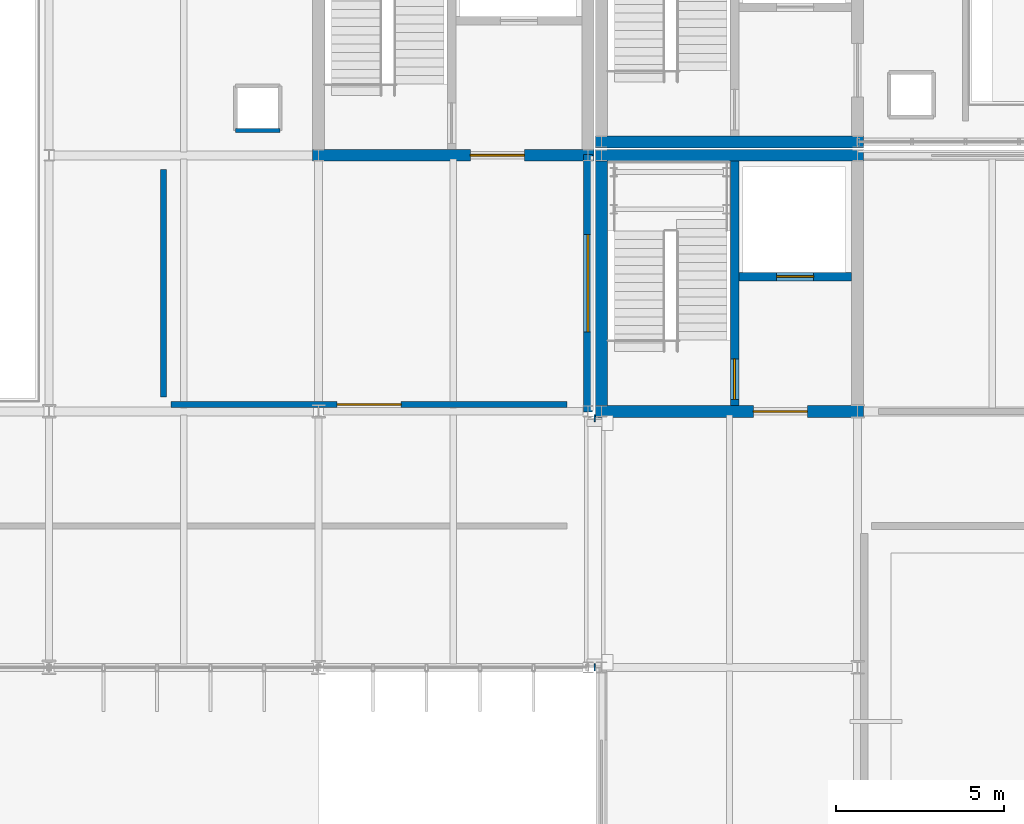
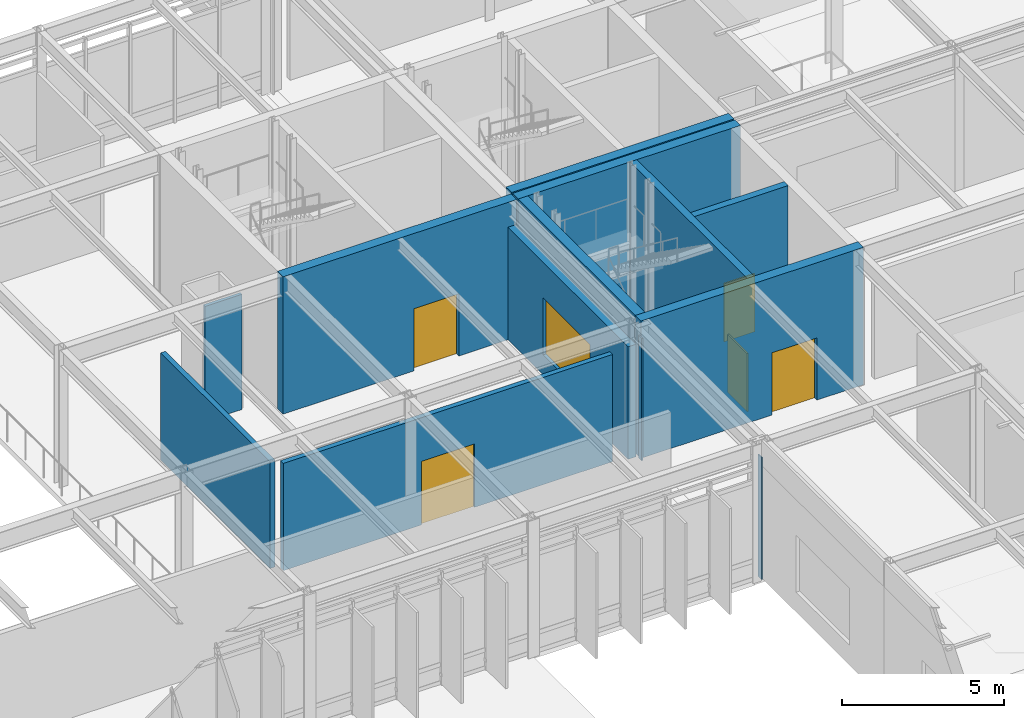
# One storey, part 73 of 94: 13 walls, 5 doors, 1 window, 6 openings.
"""IFC4 building model written with IfcOpenShell, lengths in metres."""

import ifcopenshell
import ifcopenshell.guid

model = None  # the IFC model being written
_history = None  # IfcOwnerHistory: only IFC2X3 demands one
_inside = {}  # id of a spatial element -> (the spatial element, [elements in it])
_under = {}  # id of a project, library or spatial element -> (it, [spatial elements below it])
_declared = {}  # id of a project -> (the project, [libraries it declares])
_typed = {}  # id of a type object -> (the type object, [elements of that type])
_made_of = {}  # id of a material, layer set ... -> (it, [elements and type objects made of it])


def new_model(schema):
    """Start an empty IFC model of exactly this schema.

    Asked for "IFC4X3", IfcOpenShell would pick the latest addendum, in which some entities
    have other attributes; the version numbers below select the first issue.
    IFC2X3 requires an IfcOwnerHistory on every rooted entity: one is made here for all.
    """
    global model, _history
    if schema == "IFC4X3":
        model = ifcopenshell.file(schema_version=(4, 3, 0, 0))
    else:
        model = ifcopenshell.file(schema=schema)
    _inside.clear()
    _under.clear()
    _declared.clear()
    _typed.clear()
    _made_of.clear()
    _history = None
    if model.schema == "IFC2X3":
        org = make("IfcOrganization", Name="unknown")
        user = make(
            "IfcPersonAndOrganization",
            ThePerson=make("IfcPerson", FamilyName="unknown"),
            TheOrganization=org,
        )
        app = make(
            "IfcApplication",
            ApplicationDeveloper=org,
            Version="unknown",
            ApplicationFullName="unknown",
            ApplicationIdentifier="unknown",
        )
        _history = make(
            "IfcOwnerHistory",
            OwningUser=user,
            OwningApplication=app,
            ChangeAction="ADDED",
            CreationDate=0,
        )
    return model


def make(cls, **values):
    """One entity of the class cls with the attributes given. An attribute that is None is left unset."""
    return model.create_entity(
        cls, **{name: value for name, value in values.items() if value is not None}
    )


def rooted(cls, **values):
    """An entity with a GlobalId (a new one), such as an element, a storey or a relation."""
    return make(cls, GlobalId=ifcopenshell.guid.new(), OwnerHistory=_history, **values)


def si_unit(unit_type, name, prefix=None):
    """IfcSIUnit, for example si_unit("LENGTHUNIT", "METRE", prefix="MILLI")."""
    return make("IfcSIUnit", UnitType=unit_type, Prefix=prefix, Name=name)


def assignment(units):
    """IfcUnitAssignment: the units of a project."""
    return None if units is None else make("IfcUnitAssignment", Units=units)


def point(xyz):
    """IfcCartesianPoint."""
    return None if xyz is None else make("IfcCartesianPoint", Coordinates=xyz)


def direction(xyz):
    """IfcDirection."""
    return None if xyz is None else make("IfcDirection", DirectionRatios=xyz)


def frame(location, z_axis=None, x_axis=None):
    """IfcAxis2Placement3D, a coordinate frame: its origin and axes. An axis left out is left unset."""
    return make(
        "IfcAxis2Placement3D",
        Location=point(location),
        Axis=direction(z_axis),
        RefDirection=direction(x_axis),
    )


def frame_2d(location, x_axis=None):
    """IfcAxis2Placement2D, a coordinate frame in the plane: its origin and x axis."""
    return make(
        "IfcAxis2Placement2D", Location=point(location), RefDirection=direction(x_axis)
    )


def origin():
    """The frame at (0, 0, 0) with its axes left unset."""
    return frame((0.0, 0.0, 0.0))


def place(relative_to, where):
    """IfcLocalPlacement: puts the frame where relative to a parent placement (None: the world)."""
    return make(
        "IfcLocalPlacement", PlacementRelTo=relative_to, RelativePlacement=where
    )


def context(
    kind, dimensions, precision=None, world=None, true_north=None, identifier=None
):
    """IfcGeometricRepresentationContext, for example the 3D "Model" context."""
    return make(
        "IfcGeometricRepresentationContext",
        ContextIdentifier=identifier,
        ContextType=kind,
        CoordinateSpaceDimension=dimensions,
        Precision=precision,
        WorldCoordinateSystem=world,
        TrueNorth=true_north,
    )


def subcontext(parent, identifier, kind, view, scale=None):
    """IfcGeometricRepresentationSubContext, for example "Body" below "Model"."""
    return make(
        "IfcGeometricRepresentationSubContext",
        ContextIdentifier=identifier,
        ContextType=kind,
        ParentContext=parent,
        TargetScale=scale,
        TargetView=view,
    )


def project(units=None, contexts=None):
    """IfcProject with its units and contexts."""
    return rooted(
        "IfcProject",
        Name="project",
        RepresentationContexts=contexts,
        UnitsInContext=assignment(units),
    )


def spatial(cls, under=None, at=None, **own):
    """A site, building, storey or space (cls), placed at a placement, below another one or the project."""
    s = rooted(cls, ObjectPlacement=at, **own)
    if under is not None:
        _under.setdefault(under.id(), (under, []))[1].append(s)
    return s


def profile(cls, at=None, kind="AREA", **sizes):
    """A parametric profile (cls). Its sizes go by their IFC names, for example OverallWidth=200.0."""
    return make(cls, ProfileType=kind, Position=at, **sizes)


def rectangle(**sizes):
    """IfcRectangleProfileDef."""
    return profile("IfcRectangleProfileDef", **sizes)


def extrude(swept, where, along, depth):
    """IfcExtrudedAreaSolid: the profile swept, set in the frame where, extruded along a direction by depth."""
    return make(
        "IfcExtrudedAreaSolid",
        SweptArea=swept,
        Position=where,
        ExtrudedDirection=direction(along),
        Depth=depth,
    )


def shape(context_of_items, identifier, shape_type, items):
    """IfcShapeRepresentation: the items that make up one representation, for example the "Body"."""
    return make(
        "IfcShapeRepresentation",
        ContextOfItems=context_of_items,
        RepresentationIdentifier=identifier,
        RepresentationType=shape_type,
        Items=items,
    )


def material(Name=None, Category=None):
    """IfcMaterial."""
    return make("IfcMaterial", Name=Name, Category=Category)


def layer(
    of_material, thickness, ventilated=None, Name=None, Category=None, Priority=None
):
    """IfcMaterialLayer: one layer of a wall or slab, of a material (None: an air gap)."""
    return make(
        "IfcMaterialLayer",
        Material=of_material,
        LayerThickness=thickness,
        IsVentilated=ventilated,
        Name=Name,
        Category=Category,
        Priority=Priority,
    )


def layer_set(layers, Name=None):
    """IfcMaterialLayerSet."""
    return make("IfcMaterialLayerSet", MaterialLayers=layers, LayerSetName=Name)


def made_of(thing, what):
    """Note that an element or type object is made of a material, layer set ...; save() writes the relation."""
    if what is not None:
        _made_of.setdefault(what.id(), (what, []))[1].append(thing)
    return thing


def type_object(cls, material=None, **own):
    """A type object (cls), such as IfcWallType, which elements share."""
    return made_of(rooted(cls, **own), material)


def element(
    cls,
    number,
    at=None,
    inside=None,
    cuts=None,
    type_object=None,
    material=None,
    context=None,
    identifier="Body",
    shape_type=None,
    held_by="IfcProductDefinitionShape",
    body=None,
    shapes=None,
    **own,
):
    """One element of the class cls, such as IfcWall. Its Tag is "e" and its number.

    at: its placement. inside: the storey or other place that contains it. cuts: it is an
    opening in that element (IfcRelVoidsElement). A single representation is given by context,
    identifier, shape_type and body (its items); several are given by shapes. held_by: the class
    of the entity that holds the representations. save() writes the other relations.
    """
    e = rooted(cls, Tag="e%d" % number, ObjectPlacement=at, **own)
    if body is not None:
        shapes = [shape(context, identifier, shape_type, body)]
    if shapes is not None:
        e.Representation = make(held_by, Representations=shapes)
    if inside is not None:
        _inside.setdefault(inside.id(), (inside, []))[1].append(e)
    if cuts is not None:
        rooted(
            "IfcRelVoidsElement", RelatingBuildingElement=cuts, RelatedOpeningElement=e
        )
    if type_object is not None:
        _typed.setdefault(type_object.id(), (type_object, []))[1].append(e)
    return made_of(e, material)


def fill(opening, filler):
    """IfcRelFillsElement: the door or window that sits in an opening."""
    return rooted(
        "IfcRelFillsElement",
        RelatingOpeningElement=opening,
        RelatedBuildingElement=filler,
    )


def aggregate(whole, parts):
    """IfcRelAggregates: a whole, such as a stair, and the parts it consists of."""
    return rooted("IfcRelAggregates", RelatingObject=whole, RelatedObjects=parts)


def save(model, path):
    """Write the relations noted so far, then the file.

    IfcRelAggregates (storeys below a building ...), IfcRelContainedInSpatialStructure (elements
    in a storey), IfcRelDefinesByType, IfcRelAssociatesMaterial and IfcRelDeclares: one each for
    every whole, place, type object, material and project.
    """
    for whole, parts in _under.values():
        aggregate(whole, parts)
    for where, things in _inside.values():
        rooted(
            "IfcRelContainedInSpatialStructure",
            RelatedElements=things,
            RelatingStructure=where,
        )
    for kind, things in _typed.values():
        rooted("IfcRelDefinesByType", RelatedObjects=things, RelatingType=kind)
    for what, things in _made_of.values():
        rooted("IfcRelAssociatesMaterial", RelatedObjects=things, RelatingMaterial=what)
    for by, libraries in _declared.values():
        rooted("IfcRelDeclares", RelatingContext=by, RelatedDefinitions=libraries)
    model.write(path)


model = new_model("IFC4")

# Units and contexts
model_context = context("Model", 3, precision=1e-05, world=origin(), true_north=direction((0.0, 1.0)))
body_context = subcontext(model_context, "Body", "Model", "MODEL_VIEW")
ifc_project = project(units=[si_unit("LENGTHUNIT", "METRE"), si_unit("AREAUNIT", "SQUARE_METRE"), si_unit("VOLUMEUNIT", "CUBIC_METRE"), si_unit("PLANEANGLEUNIT", "RADIAN"), si_unit("MASSUNIT", "GRAM", prefix="KILO")], contexts=[model_context])

# Site, building, storey
site_placement = place(None, origin())
site = spatial("IfcSite", under=ifc_project, at=site_placement, CompositionType="ELEMENT")
building_placement = place(site_placement, origin())
building = spatial("IfcBuilding", under=site, at=building_placement, Name="Zulena Civic Courthouse", CompositionType="ELEMENT")
storey_placement = place(building_placement, frame((0.0, 0.0, 5.39990234375)))
storey = spatial("IfcBuildingStorey", under=building, at=storey_placement, Name="L01", CompositionType="ELEMENT", Elevation=5.39990234375)

# Walls
ifc_material_1 = material(Name="Travertine-cream architectural precast concrete C40/50", Category="masonry")
ifc_layer_1 = layer(ifc_material_1, 0.205078125)
ifc_layer_set_1 = layer_set([ifc_layer_1], Name="Travertine-cream architectural precast concrete C40/50")
wall_type_1 = type_object("IfcWallType", Name="BridgeWall_GlazedScreen_205", PredefinedType="STANDARD", material=ifc_layer_set_1)
for number, where, z_axis, x_axis, name in (
    (1, (124.219970703125, 15.199951171875, 0.0), (0.0, 0.0, 1.0), (-1.0, 0.0, 0.0), "ewall:bridge:BR-41:L01:S"),
    (2, (124.179931640625, 22.60009765625, 0.0), (0.0, 0.0, 1.0), (1.0, 0.0, 0.0), "ewall:bridge:BR-41:L01:N"),
):
    element("IfcWall", number, at=place(storey_placement, frame(where, z_axis=z_axis, x_axis=x_axis)), inside=storey, type_object=wall_type_1, Name=name, PredefinedType="STANDARD", context=body_context, shape_type="SweptSolid", body=[
        extrude(rectangle(XDim=0.0400390625, YDim=0.205078125, at=frame_2d((0.02001953125, 0.0))), origin(), (0.0, 0.0, 1.0), 4.6201171875),
    ])

# Wall, opening, door
ifc_material_2 = material(Name="Concrete C40/50", Category="concrete")
ifc_layer_2 = layer(ifc_material_2, 0.25)
ifc_layer_set_2 = layer_set([ifc_layer_2], Name="Concrete C40/50")
wall_type_2 = type_object("IfcWallType", Name="CoreShearWall_RC250", PredefinedType="SHEAR", material=ifc_layer_set_2)
wall_1_placement = place(storey_placement, frame((128.35009765625, 22.97509765625, 0.0), z_axis=(0.0, 0.0, 1.0), x_axis=(0.0, 1.0, 0.0)))
wall_1 = element("IfcWall", 3, at=wall_1_placement, inside=storey, type_object=wall_type_2, Name="cwall:K1A:L01:DIV", PredefinedType="SHEAR", context=body_context, shape_type="SweptSolid", body=[
    extrude(rectangle(XDim=7.25, YDim=0.25, at=frame_2d((3.625, 0.0))), origin(), (0.0, 0.0, 1.0), 5.190185546875),
])
opening_1_placement = place(wall_1_placement, frame((0.179931640625, 0.0, 0.0)))
opening_1 = element("IfcOpeningElement", 4, at=opening_1_placement, cuts=wall_1, Name="Opening ID07", PredefinedType="OPENING", context=body_context, shape_type="SweptSolid", body=[
    extrude(rectangle(XDim=1.199951171875, YDim=2.199951171875, at=frame_2d((0.60009765625, 1.10009765625))), frame((0.0, 0.135009765625, 0.0), z_axis=(0.0, -1.0, 0.0), x_axis=(1.0, 0.0, 0.0)), (0.0, 0.0, 1.0), 0.27001953125),
])
ifc_material_3 = material(Name="Fire-rated galvanised steel ASTM A653 Grade 50", Category="steel")
door_type_1 = type_object("IfcDoorType", Name="IntDoor_Stair_1200x2200", OperationType="NOTDEFINED", PredefinedType="DOOR", material=ifc_material_3)
door_1_placement = place(opening_1_placement, origin())
door_1 = element("IfcDoor", 5, at=door_1_placement, inside=storey, type_object=door_type_1, Name="door:stair:K1A:L01", OperationType="SINGLE_SWING_RIGHT", OverallHeight=2.199951171875, OverallWidth=1.199951171875, PredefinedType="DOOR", context=body_context, shape_type="SweptSolid", body=[
    extrude(rectangle(XDim=1.199951171875, YDim=2.199951171875, at=frame_2d((0.60009765625, 1.10009765625))), frame((0.0, 0.02490234375, 0.0), z_axis=(0.0, -1.0, 0.0), x_axis=(1.0, 0.0, 0.0)), (0.0, 0.0, 1.0), 0.050048828125),
])
fill(opening_1, door_1)

wall_2_placement = place(storey_placement, frame((128.47509765625, 26.800048828125, 0.0), z_axis=(0.0, 0.0, 1.0), x_axis=(1.0, 0.0, 0.0)))
wall_2 = element("IfcWall", 6, at=wall_2_placement, inside=storey, type_object=wall_type_2, Name="cwall:K1A:L01:SHF", PredefinedType="SHEAR", context=body_context, shape_type="SweptSolid", body=[
    extrude(rectangle(XDim=3.349853515625, YDim=0.25, at=frame_2d((1.6748046875, 0.0))), origin(), (0.0, 0.0, 1.0), 5.190185546875),
])
opening_2_placement = place(wall_2_placement, frame((1.1201171875, 0.0, 0.0)))
opening_2 = element("IfcOpeningElement", 7, at=opening_2_placement, cuts=wall_2, Name="Opening LD02", PredefinedType="OPENING", context=body_context, shape_type="SweptSolid", body=[
    extrude(rectangle(XDim=1.10009765625, YDim=2.199951171875, at=frame_2d((0.550048828125, 1.10009765625))), frame((0.0, 0.135009765625, 0.0), z_axis=(0.0, -1.0, 0.0), x_axis=(1.0, 0.0, 0.0)), (0.0, 0.0, 1.0), 0.27001953125),
])
door_type_2 = type_object("IfcDoorType", Name="LiftLandingDoor_Pass_1100x2200", OperationType="SLIDING_TO_LEFT", PredefinedType="DOOR", material=ifc_material_3)
door_2_placement = place(opening_2_placement, origin())
door_2 = element("IfcDoor", 8, at=door_2_placement, inside=storey, type_object=door_type_2, Name="door:ld:PL-01:L01", OperationType="SLIDING_TO_LEFT", OverallHeight=2.199951171875, OverallWidth=1.10009765625, PredefinedType="DOOR", context=body_context, shape_type="SweptSolid", body=[
    extrude(rectangle(XDim=1.10009765625, YDim=2.199951171875, at=frame_2d((0.550048828125, 1.10009765625))), frame((0.0, 0.02490234375, 0.0), z_axis=(0.0, -1.0, 0.0), x_axis=(1.0, 0.0, 0.0)), (0.0, 0.0, 1.0), 0.050048828125),
])
fill(opening_2, door_2)

ifc_layer_3 = layer(ifc_material_2, 0.35009765625)
ifc_layer_set_3 = layer_set([ifc_layer_3], Name="Concrete C40/50")
wall_type_3 = type_object("IfcWallType", Name="CoreShearWall_RC350", PredefinedType="SHEAR", material=ifc_layer_set_3)
wall_3_placement = place(storey_placement, frame((124.22509765625, 22.800048828125, 0.0), z_axis=(0.0, 0.0, 1.0), x_axis=(1.0, 0.0, 0.0)))
wall_3 = element("IfcWall", 9, at=wall_3_placement, inside=storey, type_object=wall_type_3, Name="cwall:K1A:L01:S", PredefinedType="SHEAR", context=body_context, shape_type="SweptSolid", body=[
    extrude(rectangle(XDim=7.949951171875, YDim=0.35009765625, at=frame_2d((3.97509765625, 0.0))), origin(), (0.0, 0.0, 1.0), 5.190185546875),
])
opening_3_placement = place(wall_3_placement, frame((4.68505859375, 0.0, 0.0)))
opening_3 = element("IfcOpeningElement", 10, at=opening_3_placement, cuts=wall_3, Name="Opening ID04", PredefinedType="OPENING", context=body_context, shape_type="SweptSolid", body=[
    extrude(rectangle(XDim=1.60009765625, YDim=2.35009765625, at=frame_2d((0.800048828125, 1.175048828125))), frame((0.0, 0.18505859375, 0.0), z_axis=(0.0, -1.0, 0.0), x_axis=(1.0, 0.0, 0.0)), (0.0, 0.0, 1.0), 0.3701171875),
])
ifc_material_4 = material(Name="Solid-core acoustic hardwood timber", Category="wood")
door_type_3 = type_object("IfcDoorType", Name="IntDoor_CourtPublic_1600x2350", OperationType="DOUBLE_DOOR_SINGLE_SWING", PredefinedType="DOOR", material=ifc_material_4)
door_3_placement = place(opening_3_placement, origin())
door_3 = element("IfcDoor", 11, at=door_3_placement, inside=storey, type_object=door_type_3, Name="door:corelob:K1A:L01", OperationType="DOUBLE_DOOR_SINGLE_SWING", OverallHeight=2.35009765625, OverallWidth=1.60009765625, PredefinedType="DOOR", context=body_context, shape_type="SweptSolid", body=[
    extrude(rectangle(XDim=1.60009765625, YDim=2.35009765625, at=frame_2d((0.800048828125, 1.175048828125))), frame((0.0, 0.02490234375, 0.0), z_axis=(0.0, -1.0, 0.0), x_axis=(1.0, 0.0, 0.0)), (0.0, 0.0, 1.0), 0.050048828125),
])
fill(opening_3, door_3)

# Walls
wall_4_placement = place(storey_placement, frame((124.22509765625, 30.39990234375, 0.0), z_axis=(0.0, 0.0, 1.0), x_axis=(1.0, 0.0, 0.0)))
element("IfcWall", 12, at=wall_4_placement, inside=storey, type_object=wall_type_3, Name="cwall:K1A:L01:N", PredefinedType="SHEAR", context=body_context, shape_type="SweptSolid", body=[
    extrude(rectangle(XDim=7.949951171875, YDim=0.35009765625, at=frame_2d((3.97509765625, 0.0))), origin(), (0.0, 0.0, 1.0), 5.190185546875),
])
wall_5_placement = place(storey_placement, frame((124.39990234375, 22.97509765625, 0.0), z_axis=(0.0, 0.0, 1.0), x_axis=(0.0, 1.0, 0.0)))
element("IfcWall", 13, at=wall_5_placement, inside=storey, type_object=wall_type_3, Name="cwall:K1A:L01:W", PredefinedType="SHEAR", context=body_context, shape_type="SweptSolid", body=[
    extrude(rectangle(XDim=7.25, YDim=0.35009765625, at=frame_2d((3.625, 0.0))), origin(), (0.0, 0.0, 1.0), 5.190185546875),
])
wall_6_placement = place(storey_placement, frame((124.22509765625, 30.800048828125, 0.0), z_axis=(0.0, 0.0, 1.0), x_axis=(1.0, 0.0, 0.0)))
element("IfcWall", 14, at=wall_6_placement, inside=storey, type_object=wall_type_3, Name="cwall:K3A:L01:S", PredefinedType="SHEAR", context=body_context, shape_type="SweptSolid", body=[
    extrude(rectangle(XDim=7.949951171875, YDim=0.35009765625, at=frame_2d((3.97509765625, 0.0))), origin(), (0.0, 0.0, 1.0), 5.190185546875),
])

# Wall, opening, door
wall_7_placement = place(storey_placement, frame((115.824951171875, 30.39990234375, 0.0), z_axis=(0.0, 0.0, 1.0), x_axis=(1.0, 0.0, 0.0)))
wall_7 = element("IfcWall", 15, at=wall_7_placement, inside=storey, type_object=wall_type_3, Name="cwall:K4B:L01:S", PredefinedType="SHEAR", context=body_context, shape_type="SweptSolid", body=[
    extrude(rectangle(XDim=8.35009765625, YDim=0.35009765625, at=frame_2d((4.175048828125, 0.0))), origin(), (0.0, 0.0, 1.0), 5.190185546875),
])
opening_4_placement = place(wall_7_placement, frame((4.68505859375, 0.0, 0.0)))
opening_4 = element("IfcOpeningElement", 16, at=opening_4_placement, cuts=wall_7, Name="Opening ID04", PredefinedType="OPENING", context=body_context, shape_type="SweptSolid", body=[
    extrude(rectangle(XDim=1.60009765625, YDim=2.35009765625, at=frame_2d((0.800048828125, 1.175048828125))), frame((0.0, 0.18505859375, 0.0), z_axis=(0.0, -1.0, 0.0), x_axis=(1.0, 0.0, 0.0)), (0.0, 0.0, 1.0), 0.3701171875),
])
door_4_placement = place(opening_4_placement, origin())
door_4 = element("IfcDoor", 17, at=door_4_placement, inside=storey, type_object=door_type_3, Name="door:corelob:K4B:L01", OperationType="DOUBLE_DOOR_SINGLE_SWING", OverallHeight=2.35009765625, OverallWidth=1.60009765625, PredefinedType="DOOR", context=body_context, shape_type="SweptSolid", body=[
    extrude(rectangle(XDim=1.60009765625, YDim=2.35009765625, at=frame_2d((0.800048828125, 1.175048828125))), frame((0.0, 0.02490234375, 0.0), z_axis=(0.0, -1.0, 0.0), x_axis=(1.0, 0.0, 0.0)), (0.0, 0.0, 1.0), 0.050048828125),
])
fill(opening_4, door_4)

# Wall, opening, window
ifc_layer_4 = layer(ifc_material_1, 0.280029296875)
ifc_layer_set_4 = layer_set([ifc_layer_4], Name="Travertine-cream architectural precast concrete C40/50")
wall_type_4 = type_object("IfcWallType", Name="ExtWall_TravPrecast_280", PredefinedType="STANDARD", material=ifc_layer_set_4)
wall_8_placement = place(storey_placement, frame((124.0, 30.419921875, 0.0), z_axis=(0.0, 0.0, 1.0), x_axis=(0.0, -1.0, 0.0)))
wall_8 = element("IfcWall", 18, at=wall_8_placement, inside=storey, type_object=wall_type_4, Name="ewall:V4:L01:2:2", PredefinedType="STANDARD", context=body_context, shape_type="SweptSolid", body=[
    extrude(rectangle(XDim=7.639892578125, YDim=0.280029296875, at=frame_2d((3.81982421875, 0.0))), origin(), (0.0, 0.0, 1.0), 4.25),
])
opening_5_placement = place(wall_8_placement, frame((2.3701171875, 0.0, 0.75)))
opening_5 = element("IfcOpeningElement", 19, at=opening_5_placement, cuts=wall_8, Name="Opening WN13", PredefinedType="OPENING", context=body_context, shape_type="SweptSolid", body=[
    extrude(rectangle(XDim=2.89990234375, YDim=2.14990234375, at=frame_2d((1.449951171875, 1.074951171875))), frame((0.0, 0.14990234375, 0.0), z_axis=(0.0, -1.0, 0.0), x_axis=(1.0, 0.0, 0.0)), (0.0, 0.0, 1.0), 0.300048828125),
])
ifc_material_5 = material(Name="Double-silver low-E laminated solar-control glass", Category="glass")
window_type = type_object("IfcWindowType", Name="Win_2900x2150", PartitioningType="DOUBLE_PANEL_VERTICAL", PredefinedType="WINDOW", material=ifc_material_5)
window_placement = place(opening_5_placement, origin())
window = element("IfcWindow", 20, at=window_placement, inside=storey, type_object=window_type, Name="win:V4:L01:2:2", OverallHeight=2.14990234375, OverallWidth=2.89990234375, PartitioningType="SINGLE_PANEL", PredefinedType="WINDOW", context=body_context, shape_type="SweptSolid", body=[
    extrude(rectangle(XDim=2.89990234375, YDim=2.14990234375, at=frame_2d((1.449951171875, 1.074951171875))), frame((0.0, 0.030029296875, 0.0), z_axis=(0.0, -1.0, 0.0), x_axis=(1.0, 0.0, 0.0)), (0.0, 0.0, 1.0), 0.06005859375),
])
fill(opening_5, window)

# Wall, opening, door
ifc_material_6 = material(Name="Acoustic fire-rated gypsum board assembly", Category="masonry")
ifc_layer_5 = layer(ifc_material_6, 0.177978515625)
ifc_layer_set_5 = layer_set([ifc_layer_5], Name="Acoustic fire-rated gypsum board assembly")
wall_type_5 = type_object("IfcWallType", Name="PartWall_Corridor_178", PredefinedType="PARTITIONING", material=ifc_layer_set_5)
wall_9_placement = place(storey_placement, frame((111.6201171875, 23.0, 0.0), z_axis=(0.0, 0.0, 1.0), x_axis=(1.0, 0.0, 0.0)))
wall_9 = element("IfcWall", 21, at=wall_9_placement, inside=storey, type_object=wall_type_5, Name="pwall:L01:239:0", PredefinedType="PARTITIONING", context=body_context, shape_type="SweptSolid", body=[
    extrude(rectangle(XDim=11.759765625, YDim=0.177978515625, at=frame_2d((5.8798828125, 0.0))), origin(), (0.0, 0.0, 1.0), 4.050048828125),
])
opening_6_placement = place(wall_9_placement, frame((4.929931640625, 0.0, 0.0)))
opening_6 = element("IfcOpeningElement", 22, at=opening_6_placement, cuts=wall_9, Name="Opening ID02", PredefinedType="OPENING", context=body_context, shape_type="SweptSolid", body=[
    extrude(rectangle(XDim=1.89990234375, YDim=2.39990234375, at=frame_2d((0.949951171875, 1.199951171875))), frame((0.0, 0.098876953125, 0.0), z_axis=(0.0, -1.0, 0.0), x_axis=(1.0, 0.0, 0.0)), (0.0, 0.0, 1.0), 0.197998046875),
])
door_type_4 = type_object("IfcDoorType", Name="IntDoor_CourtPublic_1900x2400", OperationType="DOUBLE_DOOR_SINGLE_SWING", PredefinedType="DOOR", material=ifc_material_4)
door_5_placement = place(opening_6_placement, origin())
door_5 = element("IfcDoor", 23, at=door_5_placement, inside=storey, type_object=door_type_4, Name="door:rm:L01:239", OperationType="DOUBLE_DOOR_SINGLE_SWING", OverallHeight=2.39990234375, OverallWidth=1.89990234375, PredefinedType="DOOR", context=body_context, shape_type="SweptSolid", body=[
    extrude(rectangle(XDim=1.89990234375, YDim=2.39990234375, at=frame_2d((0.949951171875, 1.199951171875))), frame((0.0, 0.02490234375, 0.0), z_axis=(0.0, -1.0, 0.0), x_axis=(1.0, 0.0, 0.0)), (0.0, 0.0, 1.0), 0.050048828125),
])
fill(opening_6, door_5)

# Walls
wall_10_placement = place(storey_placement, frame((111.39990234375, 23.219970703125, 0.0), z_axis=(0.0, 0.0, 1.0), x_axis=(0.0, 1.0, 0.0)))
element("IfcWall", 24, at=wall_10_placement, inside=storey, type_object=wall_type_5, Name="pwall:L01:239:1", PredefinedType="PARTITIONING", context=body_context, shape_type="SweptSolid", body=[
    extrude(rectangle(XDim=6.760009765625, YDim=0.177978515625, at=frame_2d((3.3798828125, 0.0))), origin(), (0.0, 0.0, 1.0), 4.050048828125),
])
ifc_material_7 = material(Name="Insulated blockwork masonry ASTM C90", Category="masonry")
ifc_layer_6 = layer(ifc_material_7, 0.114990234375)
ifc_layer_set_6 = layer_set([ifc_layer_6], Name="Insulated blockwork masonry ASTM C90")
wall_type_6 = type_object("IfcWallType", Name="PartWall_Riser_115", PredefinedType="PARTITIONING", material=ifc_layer_set_6)
wall_11_placement = place(storey_placement, frame((113.5400390625, 31.139892578125, 0.0), z_axis=(0.0, 0.0, 1.0), x_axis=(1.0, 0.0, 0.0)))
element("IfcWall", 25, at=wall_11_placement, inside=storey, type_object=wall_type_6, Name="riser:RS-V4E:L01:0", PredefinedType="PARTITIONING", context=body_context, shape_type="SweptSolid", body=[
    extrude(rectangle(XDim=1.320068359375, YDim=0.114990234375, at=frame_2d((0.66015625, 0.0))), origin(), (0.0, 0.0, 1.0), 4.35009765625),
])

save(model, "model.ifc")
